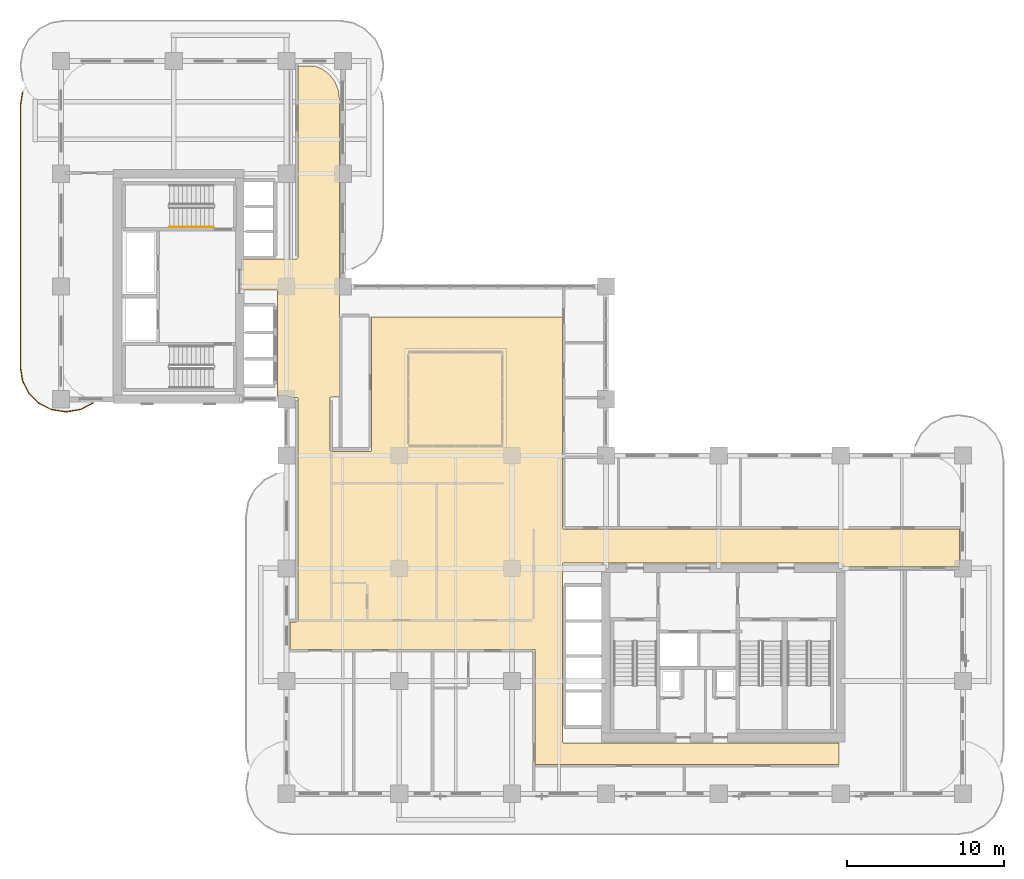
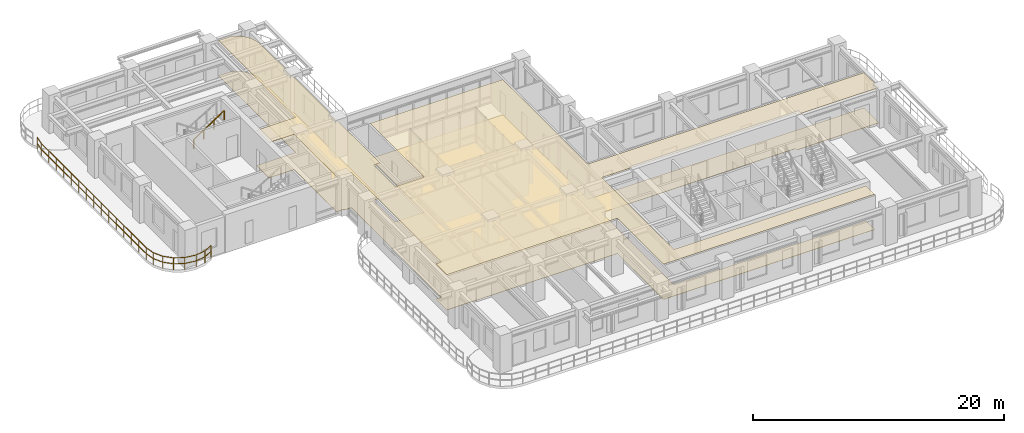
# One storey, part 21 of 22: 2 coverings, 2 railings.
"""IFC4 building model written with IfcOpenShell, lengths in metres."""

from ifc_helpers import new_model, si_unit, derived_unit, direction, frame, origin, origin_2d, place, context, subcontext, project, spatial, polyline, rectangle, outline, extrude, material, layer, layer_set, type_object, element, save


model = new_model("IFC4")

# Units and contexts
model_context = context("Model", 3, precision=1e-05, world=origin(), true_north=direction((0.0, 1.0)))
body_context = subcontext(model_context, "Body", "Model", "MODEL_VIEW")
ifc_project = project(units=[si_unit("LENGTHUNIT", "METRE"), si_unit("AREAUNIT", "SQUARE_METRE"), si_unit("VOLUMEUNIT", "CUBIC_METRE"), si_unit("PLANEANGLEUNIT", "RADIAN"), si_unit("MASSUNIT", "GRAM", prefix="KILO"), si_unit("THERMODYNAMICTEMPERATUREUNIT", "KELVIN"), si_unit("POWERUNIT", "WATT"), derived_unit("THERMALTRANSMITTANCEUNIT", [(si_unit("POWERUNIT", "WATT"), 1), (si_unit("AREAUNIT", "SQUARE_METRE"), -1), (si_unit("THERMODYNAMICTEMPERATUREUNIT", "KELVIN"), -1)])], contexts=[model_context])

# Site, building, storey
site_placement = place(None, origin())
site = spatial("IfcSite", under=ifc_project, at=site_placement, CompositionType="ELEMENT")
building_placement = place(site_placement, origin())
building = spatial("IfcBuilding", under=site, at=building_placement, Name="Zahravan Archway Hotel and Residences", CompositionType="ELEMENT")
storey_placement = place(building_placement, frame((0.0, 0.0, 99.0)))
storey = spatial("IfcBuildingStorey", under=building, at=storey_placement, Name="L24", CompositionType="ELEMENT", Elevation=99.0)

# Coverings
ifc_material_1 = material(Name="Perforated Acoustic Gypsum Ceiling")
ifc_layer_1 = layer(ifc_material_1, 0.02490234375, Name="Perforated Acoustic Gypsum Ceiling")
ifc_layer_set_1 = layer_set([ifc_layer_1], Name="Perforated Acoustic Gypsum Ceiling")
covering_type_1 = type_object("IfcCoveringType", Name="COV-CEIL-ACST", PredefinedType="CEILING", material=ifc_layer_set_1)
covering_1_placement = place(storey_placement, frame((0.0, 0.0, 3.425048828125)))
element("IfcCovering", 1, at=covering_1_placement, inside=storey, type_object=covering_type_1, Name="L24 Acoustic Corridor Ceiling", PredefinedType="CEILING", context=body_context, shape_type="SweptSolid", body=[
    extrude(outline(polyline([(32.021484375, 3.309326171875), (32.04345703125, 3.268310546875), (32.08447265625, 3.24658203125), (49.669921875, 3.2451171875), (49.669921875, 1.8798828125), (30.280029296875, 1.8798828125), (30.280029296875, 9.14990234375), (30.2666015625, 9.1943359375), (30.230712890625, 9.223876953125), (14.6201171875, 9.22998046875), (14.6201171875, 10.989990234375), (15.050048828125, 10.989990234375), (15.094482421875, 11.00341796875), (15.123779296875, 11.039306640625), (15.1298828125, 25.25), (15.116455078125, 25.29443359375), (15.08056640625, 25.323974609375), (14.5771484375, 25.330078125), (14.53955078125, 25.3701171875), (14.503662109375, 25.39404296875), (14.4638671875, 25.410400390625), (14.421630859375, 25.4189453125), (13.830078125, 25.419921875), (13.830078125, 32.10009765625), (13.81640625, 32.144287109375), (13.780517578125, 32.173828125), (11.530029296875, 32.179931640625), (11.530029296875, 34.169921875), (15.050048828125, 34.169921875), (15.094482421875, 34.18359375), (15.123779296875, 34.219482421875), (15.1298828125, 46.469970703125), (16.24560546875, 46.469970703125), (16.689208984375, 46.286376953125), (17.14013671875, 45.940185546875), (17.486328125, 45.489013671875), (17.703857421875, 44.9638671875), (17.77001953125, 44.46142578125), (17.77001953125, 25.330078125), (17.25, 25.330078125), (17.20556640625, 25.31640625), (17.176025390625, 25.280517578125), (17.169921875, 21.949951171875), (17.18359375, 21.905517578125), (17.219482421875, 21.876220703125), (19.75, 21.8701171875), (19.79443359375, 21.883544921875), (19.823974609375, 21.91943359375), (19.830078125, 30.469970703125), (32.02001953125, 30.469970703125), (32.02001953125, 17.0), (32.033447265625, 16.95556640625), (32.0693359375, 16.926025390625), (57.3798828125, 16.919921875), (57.3798828125, 14.530029296875), (49.830078125, 14.530029296875), (49.830078125, 14.675048828125), (49.81640625, 14.719482421875), (49.780517578125, 14.748779296875), (32.10009765625, 14.7548828125), (32.0556640625, 14.741455078125), (32.026123046875, 14.70556640625), (32.02001953125, 3.324951171875), (32.021484375, 3.309326171875)])), origin(), (0.0, 0.0, 1.0), 0.02490234375),
])
ifc_material_2 = material(Name="Honed Margalla Limestone & Mortar Bed", Category="masonry")
ifc_layer_2 = layer(ifc_material_2, 0.030029296875, Name="Honed Margalla Limestone & Mortar Bed", Category="masonry")
ifc_layer_set_2 = layer_set([ifc_layer_2], Name="Honed Margalla Limestone & Mortar Bed")
covering_type_2 = type_object("IfcCoveringType", Name="COV-FLR-STONE", PredefinedType="FLOORING", material=ifc_layer_set_2)
covering_2_placement = place(storey_placement, origin())
element("IfcCovering", 2, at=covering_2_placement, inside=storey, type_object=covering_type_2, Name="L24 Circulation Floor Finish", PredefinedType="FLOORING", context=body_context, shape_type="SweptSolid", body=[
    extrude(outline(polyline([(32.021484375, 3.309326171875), (32.04345703125, 3.268310546875), (32.08447265625, 3.24658203125), (49.669921875, 3.2451171875), (49.669921875, 1.8798828125), (30.280029296875, 1.8798828125), (30.280029296875, 9.14990234375), (30.2666015625, 9.1943359375), (30.230712890625, 9.223876953125), (14.6201171875, 9.22998046875), (14.6201171875, 10.989990234375), (15.050048828125, 10.989990234375), (15.094482421875, 11.00341796875), (15.123779296875, 11.039306640625), (15.1298828125, 25.25), (15.116455078125, 25.29443359375), (15.08056640625, 25.323974609375), (14.5771484375, 25.330078125), (14.53955078125, 25.3701171875), (14.503662109375, 25.39404296875), (14.4638671875, 25.410400390625), (14.421630859375, 25.4189453125), (13.830078125, 25.419921875), (13.830078125, 32.10009765625), (13.81640625, 32.144287109375), (13.780517578125, 32.173828125), (11.530029296875, 32.179931640625), (11.530029296875, 34.169921875), (15.050048828125, 34.169921875), (15.094482421875, 34.18359375), (15.123779296875, 34.219482421875), (15.1298828125, 46.469970703125), (16.24560546875, 46.469970703125), (16.689208984375, 46.286376953125), (17.14013671875, 45.940185546875), (17.486328125, 45.489013671875), (17.703857421875, 44.9638671875), (17.77001953125, 44.46142578125), (17.77001953125, 25.330078125), (17.25, 25.330078125), (17.20556640625, 25.31640625), (17.176025390625, 25.280517578125), (17.169921875, 21.949951171875), (17.18359375, 21.905517578125), (17.219482421875, 21.876220703125), (19.75, 21.8701171875), (19.79443359375, 21.883544921875), (19.823974609375, 21.91943359375), (19.830078125, 30.469970703125), (32.02001953125, 30.469970703125), (32.02001953125, 17.0), (32.033447265625, 16.95556640625), (32.0693359375, 16.926025390625), (57.3798828125, 16.919921875), (57.3798828125, 14.530029296875), (49.830078125, 14.530029296875), (49.830078125, 14.675048828125), (49.81640625, 14.719482421875), (49.780517578125, 14.748779296875), (32.10009765625, 14.7548828125), (32.0556640625, 14.741455078125), (32.026123046875, 14.70556640625), (32.02001953125, 3.324951171875), (32.021484375, 3.309326171875)])), origin(), (0.0, 0.0, 1.0), 0.030029296875),
])

# Railings
ifc_material_3 = material(Name="Bronze & Laminated Glass Balustrade", Category="glass")
railing_type_1 = type_object("IfcRailingType", Name="RL-BAL-1200", PredefinedType="BALUSTRADE", material=ifc_material_3)
railing_1_placement = place(storey_placement, frame((2.025146484375, 24.9443359375, 0.0)))
element("IfcRailing", 3, at=railing_1_placement, inside=storey, type_object=railing_type_1, Name="L24 Balustrade RL-SLB-BAL-L24-WB-1", PredefinedType="BALUSTRADE", context=body_context, shape_type="SweptSolid", body=[
    extrude(rectangle(XDim=0.048095703125, YDim=0.048095703125, at=origin_2d()), frame((0.0, 0.0, 1.17578125), z_axis=(-0.891006060389, -0.453991409995, 0.0), x_axis=(0.453991409995, -0.891006060389, 0.0)), (0.0, 0.0, 1.0), 0.8916015625),
    extrude(rectangle(XDim=0.048095703125, YDim=0.048095703125, at=origin_2d()), frame((0.0, 0.0, 0.60009765625), z_axis=(-0.891006060389, -0.453991409995, 0.0), x_axis=(0.453991409995, -0.891006060389, 0.0)), (0.0, 0.0, 1.0), 0.8916015625),
    extrude(rectangle(XDim=0.048095703125, YDim=0.048095703125, at=origin_2d()), frame((-0.79443359375, -0.40478515625, 1.17578125), z_axis=(-0.987658397726, -0.156623399917, 0.0), x_axis=(0.156623399917, -0.987658397726, 0.0)), (0.0, 0.0, 1.0), 0.8916015625),
    extrude(rectangle(XDim=0.048095703125, YDim=0.048095703125, at=origin_2d()), frame((-0.79443359375, -0.40478515625, 0.60009765625), z_axis=(-0.987658397726, -0.156623399917, 0.0), x_axis=(0.156623399917, -0.987658397726, 0.0)), (0.0, 0.0, 1.0), 0.8916015625),
    extrude(rectangle(XDim=0.048095703125, YDim=0.048095703125, at=origin_2d()), frame((-1.675048828125, -0.54443359375, 1.17578125), z_axis=(-1.0, 0.0, 0.0), x_axis=(0.0, -1.0, 0.0)), (0.0, 0.0, 1.0), 0.10009765625),
    extrude(rectangle(XDim=0.048095703125, YDim=0.048095703125, at=origin_2d()), frame((-1.675048828125, -0.54443359375, 0.60009765625), z_axis=(-1.0, 0.0, 0.0), x_axis=(0.0, -1.0, 0.0)), (0.0, 0.0, 1.0), 0.10009765625),
    extrude(rectangle(XDim=0.048095703125, YDim=0.048095703125, at=origin_2d()), frame((-1.775146484375, -0.54443359375, 1.17578125), z_axis=(-0.987658397726, 0.156623399917, 0.0), x_axis=(-0.156623399917, -0.987658397726, 0.0)), (0.0, 0.0, 1.0), 0.8916015625),
    extrude(rectangle(XDim=0.048095703125, YDim=0.048095703125, at=origin_2d()), frame((-1.775146484375, -0.54443359375, 0.60009765625), z_axis=(-0.987658397726, 0.156623399917, 0.0), x_axis=(-0.156623399917, -0.987658397726, 0.0)), (0.0, 0.0, 1.0), 0.8916015625),
    extrude(rectangle(XDim=0.048095703125, YDim=0.048095703125, at=origin_2d()), frame((-2.65576171875, -0.40478515625, 1.17578125), z_axis=(-0.891062476022, 0.45388067135, 0.0), x_axis=(-0.45388067135, -0.891062476022, 0.0)), (0.0, 0.0, 1.0), 0.891845703125),
    extrude(rectangle(XDim=0.048095703125, YDim=0.048095703125, at=origin_2d()), frame((-2.65576171875, -0.40478515625, 0.60009765625), z_axis=(-0.891062476022, 0.45388067135, 0.0), x_axis=(-0.45388067135, -0.891062476022, 0.0)), (0.0, 0.0, 1.0), 0.891845703125),
    extrude(rectangle(XDim=0.048095703125, YDim=0.048095703125, at=origin_2d()), frame((-3.450439453125, 0.0, 1.17578125), z_axis=(-0.707106781187, 0.707106781187, 0.0), x_axis=(-0.707106781187, -0.707106781187, 0.0)), (0.0, 0.0, 1.0), 0.891357421875),
    extrude(rectangle(XDim=0.048095703125, YDim=0.048095703125, at=origin_2d()), frame((-3.450439453125, 0.0, 0.60009765625), z_axis=(-0.707106781187, 0.707106781187, 0.0), x_axis=(-0.707106781187, -0.707106781187, 0.0)), (0.0, 0.0, 1.0), 0.891357421875),
    extrude(rectangle(XDim=0.048095703125, YDim=0.048095703125, at=origin_2d()), frame((-4.080810546875, 0.63037109375, 1.17578125), z_axis=(-0.45388067135, 0.891062476022, 0.0), x_axis=(-0.891062476022, -0.45388067135, 0.0)), (0.0, 0.0, 1.0), 0.891845703125),
    extrude(rectangle(XDim=0.048095703125, YDim=0.048095703125, at=origin_2d()), frame((-4.080810546875, 0.63037109375, 0.60009765625), z_axis=(-0.45388067135, 0.891062476022, 0.0), x_axis=(-0.891062476022, -0.45388067135, 0.0)), (0.0, 0.0, 1.0), 0.891845703125),
    extrude(rectangle(XDim=0.048095703125, YDim=0.048095703125, at=origin_2d()), frame((-4.485595703125, 1.425048828125, 1.17578125), z_axis=(-0.156623399917, 0.987658397726, 0.0), x_axis=(-0.987658397726, -0.156623399917, 0.0)), (0.0, 0.0, 1.0), 0.8916015625),
    extrude(rectangle(XDim=0.048095703125, YDim=0.048095703125, at=origin_2d()), frame((-4.485595703125, 1.425048828125, 0.60009765625), z_axis=(-0.156623399917, 0.987658397726, 0.0), x_axis=(-0.987658397726, -0.156623399917, 0.0)), (0.0, 0.0, 1.0), 0.8916015625),
    extrude(rectangle(XDim=0.048095703125, YDim=0.048095703125, at=origin_2d()), frame((-4.625244140625, 2.3056640625, 1.17578125), z_axis=(0.0, 1.0, 0.0), x_axis=(-1.0, 0.0, 0.0)), (0.0, 0.0, 1.0), 16.699951171875),
    extrude(rectangle(XDim=0.048095703125, YDim=0.048095703125, at=origin_2d()), frame((-4.625244140625, 2.3056640625, 0.60009765625), z_axis=(0.0, 1.0, 0.0), x_axis=(-1.0, 0.0, 0.0)), (0.0, 0.0, 1.0), 16.699951171875),
    extrude(rectangle(XDim=0.048095703125, YDim=0.048095703125, at=origin_2d()), frame((-4.625244140625, 19.005615234375, 1.17578125), z_axis=(0.156581054338, 0.98766511198, 0.0), x_axis=(-0.98766511198, 0.156581054338, 0.0)), (0.0, 0.0, 1.0), 0.891845703125),
    extrude(rectangle(XDim=0.048095703125, YDim=0.048095703125, at=origin_2d()), frame((-4.625244140625, 19.005615234375, 0.60009765625), z_axis=(0.156581054338, 0.98766511198, 0.0), x_axis=(-0.98766511198, 0.156581054338, 0.0)), (0.0, 0.0, 1.0), 0.891845703125),
    extrude(rectangle(XDim=0.0419921875, YDim=0.0419921875, at=origin_2d()), origin(), (0.0, 0.0, 1.0), 1.15185546875),
    extrude(rectangle(XDim=0.0419921875, YDim=0.0419921875, at=origin_2d()), frame((-0.79443359375, -0.40478515625, 0.0)), (0.0, 0.0, 1.0), 1.15185546875),
    extrude(rectangle(XDim=0.0419921875, YDim=0.0419921875, at=origin_2d()), frame((-1.675048828125, -0.54443359375, 0.0)), (0.0, 0.0, 1.0), 1.15185546875),
    extrude(rectangle(XDim=0.0419921875, YDim=0.0419921875, at=origin_2d()), frame((-2.65576171875, -0.40478515625, 0.0)), (0.0, 0.0, 1.0), 1.15185546875),
    extrude(rectangle(XDim=0.0419921875, YDim=0.0419921875, at=origin_2d()), frame((-3.450439453125, 0.0, 0.0)), (0.0, 0.0, 1.0), 1.15185546875),
    extrude(rectangle(XDim=0.0419921875, YDim=0.0419921875, at=origin_2d()), frame((-4.080810546875, 0.63037109375, 0.0)), (0.0, 0.0, 1.0), 1.15185546875),
    extrude(rectangle(XDim=0.0419921875, YDim=0.0419921875, at=origin_2d()), frame((-4.485595703125, 1.425048828125, 0.0)), (0.0, 0.0, 1.0), 1.15185546875),
    extrude(rectangle(XDim=0.0419921875, YDim=0.0419921875, at=origin_2d()), frame((-4.625244140625, 2.3056640625, 0.0)), (0.0, 0.0, 1.0), 1.15185546875),
    extrude(rectangle(XDim=0.0419921875, YDim=0.0419921875, at=origin_2d()), frame((-4.625244140625, 3.49853515625, 0.0)), (0.0, 0.0, 1.0), 1.15185546875),
    extrude(rectangle(XDim=0.0419921875, YDim=0.0419921875, at=origin_2d()), frame((-4.625244140625, 4.69140625, 0.0)), (0.0, 0.0, 1.0), 1.15185546875),
    extrude(rectangle(XDim=0.0419921875, YDim=0.0419921875, at=origin_2d()), frame((-4.625244140625, 5.88427734375, 0.0)), (0.0, 0.0, 1.0), 1.15185546875),
    extrude(rectangle(XDim=0.0419921875, YDim=0.0419921875, at=origin_2d()), frame((-4.625244140625, 7.0771484375, 0.0)), (0.0, 0.0, 1.0), 1.15185546875),
    extrude(rectangle(XDim=0.0419921875, YDim=0.0419921875, at=origin_2d()), frame((-4.625244140625, 8.27001953125, 0.0)), (0.0, 0.0, 1.0), 1.15185546875),
    extrude(rectangle(XDim=0.0419921875, YDim=0.0419921875, at=origin_2d()), frame((-4.625244140625, 9.462890625, 0.0)), (0.0, 0.0, 1.0), 1.15185546875),
    extrude(rectangle(XDim=0.0419921875, YDim=0.0419921875, at=origin_2d()), frame((-4.625244140625, 10.65576171875, 0.0)), (0.0, 0.0, 1.0), 1.15185546875),
    extrude(rectangle(XDim=0.0419921875, YDim=0.0419921875, at=origin_2d()), frame((-4.625244140625, 11.848388671875, 0.0)), (0.0, 0.0, 1.0), 1.15185546875),
    extrude(rectangle(XDim=0.0419921875, YDim=0.0419921875, at=origin_2d()), frame((-4.625244140625, 13.041259765625, 0.0)), (0.0, 0.0, 1.0), 1.15185546875),
    extrude(rectangle(XDim=0.0419921875, YDim=0.0419921875, at=origin_2d()), frame((-4.625244140625, 14.234130859375, 0.0)), (0.0, 0.0, 1.0), 1.15185546875),
    extrude(rectangle(XDim=0.0419921875, YDim=0.0419921875, at=origin_2d()), frame((-4.625244140625, 15.427001953125, 0.0)), (0.0, 0.0, 1.0), 1.15185546875),
    extrude(rectangle(XDim=0.0419921875, YDim=0.0419921875, at=origin_2d()), frame((-4.625244140625, 16.619873046875, 0.0)), (0.0, 0.0, 1.0), 1.15185546875),
    extrude(rectangle(XDim=0.0419921875, YDim=0.0419921875, at=origin_2d()), frame((-4.625244140625, 17.812744140625, 0.0)), (0.0, 0.0, 1.0), 1.15185546875),
    extrude(rectangle(XDim=0.0419921875, YDim=0.0419921875, at=origin_2d()), frame((-4.625244140625, 19.005615234375, 0.0)), (0.0, 0.0, 1.0), 1.15185546875),
    extrude(rectangle(XDim=0.0419921875, YDim=0.0419921875, at=origin_2d()), frame((-4.485595703125, 19.886474609375, 0.0)), (0.0, 0.0, 1.0), 1.15185546875),
])
ifc_material_4 = material(Name="Brushed Stainless Steel", Category="steel")
railing_type_2 = type_object("IfcRailingType", Name="RL-STH-900", PredefinedType="HANDRAIL", material=ifc_material_4)
railing_2_placement = place(storey_placement, frame((6.929931640625, 36.2099609375, 2.01806640625)))
element("IfcRailing", 4, at=railing_2_placement, inside=storey, type_object=railing_type_2, Name="L24 ST-B2 stair handrail 2", PredefinedType="HANDRAIL", context=body_context, shape_type="SweptSolid", body=[
    extrude(rectangle(XDim=0.048095703125, YDim=0.048095703125, at=origin_2d()), frame((0.0, 0.0, 0.8759765625), z_axis=(0.834326358476, 0.0, 0.551270829586), x_axis=(0.0, 1.0, 0.0)), (0.0, 0.0, 1.0), 3.35595703125),
    extrude(rectangle(XDim=0.0419921875, YDim=0.0419921875, at=origin_2d()), origin(), (0.0, 0.0, 1.0), 0.851806640625),
    extrude(rectangle(XDim=0.0419921875, YDim=0.0419921875, at=origin_2d()), frame((0.933349609375, 0.0, 0.61669921875)), (0.0, 0.0, 1.0), 0.851806640625),
    extrude(rectangle(XDim=0.0419921875, YDim=0.0419921875, at=origin_2d()), frame((1.86669921875, 0.0, 1.2333984375)), (0.0, 0.0, 1.0), 0.851806640625),
    extrude(rectangle(XDim=0.0419921875, YDim=0.0419921875, at=origin_2d()), frame((2.800048828125, 0.0, 1.85009765625)), (0.0, 0.0, 1.0), 0.851806640625),
])

save(model, "model.ifc")
